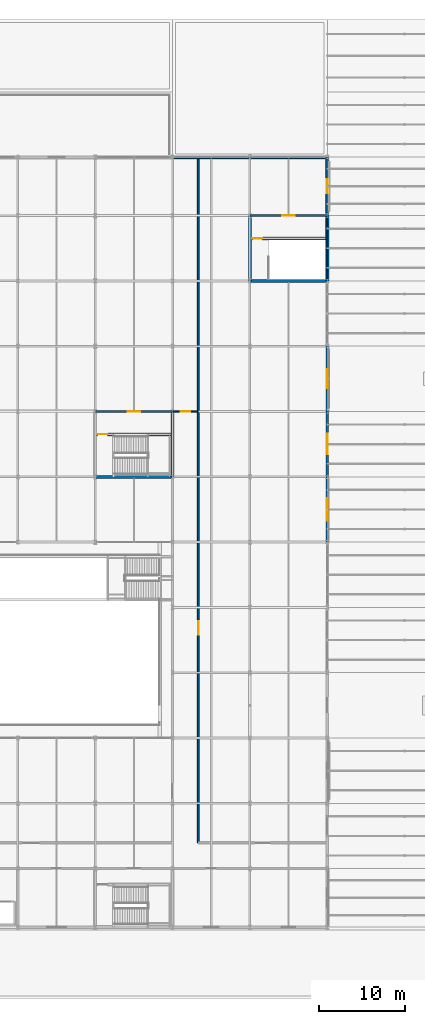
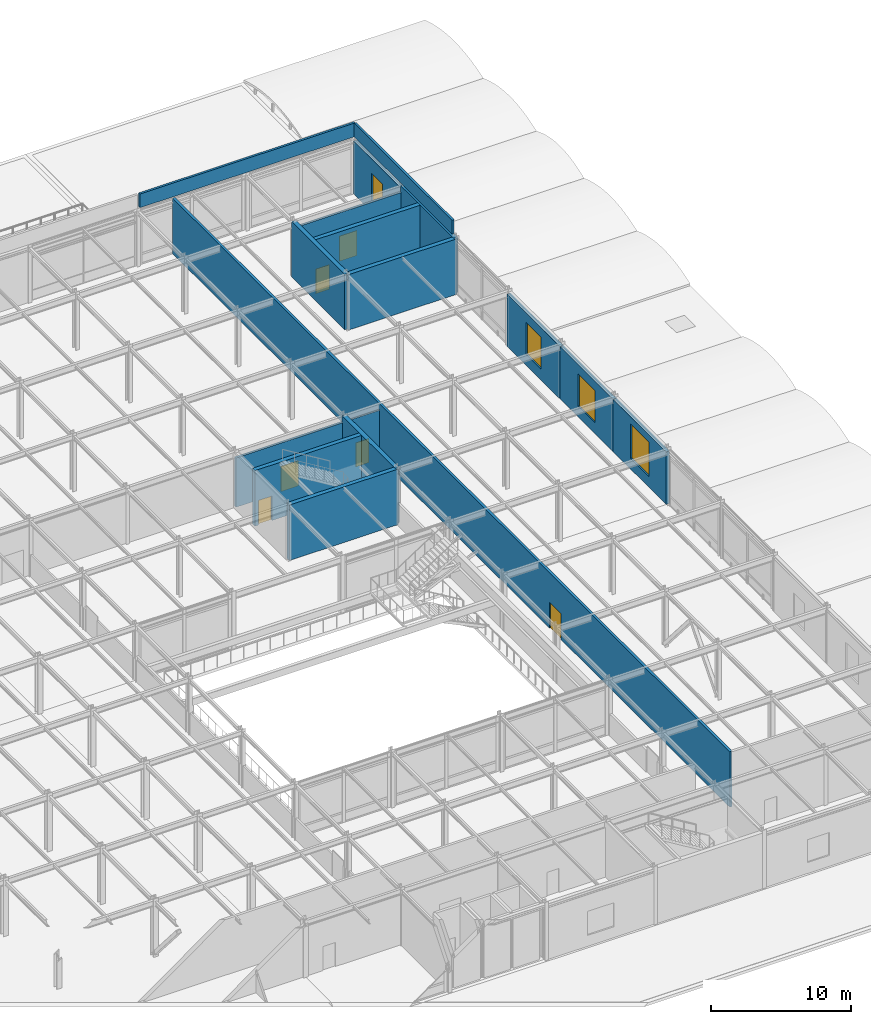
# One storey, part 103 of 113: 17 walls, 6 doors, 4 windows, 10 openings.
"""IFC4 building model written with IfcOpenShell, lengths in metres."""

from ifc_helpers import new_model, si_unit, direction, frame, frame_2d, origin, place, context, subcontext, project, spatial, rectangle, extrude, material, layer, layer_set, type_object, element, fill, save


model = new_model("IFC4")

# Units and contexts
model_context = context("Model", 3, precision=1e-05, world=origin(), true_north=direction((0.0, 1.0)))
body_context = subcontext(model_context, "Body", "Model", "MODEL_VIEW")
ifc_project = project(units=[si_unit("LENGTHUNIT", "METRE"), si_unit("AREAUNIT", "SQUARE_METRE"), si_unit("VOLUMEUNIT", "CUBIC_METRE"), si_unit("PLANEANGLEUNIT", "RADIAN"), si_unit("MASSUNIT", "GRAM", prefix="KILO")], contexts=[model_context])

# Site, building, storey
site_placement = place(None, origin())
site = spatial("IfcSite", under=ifc_project, at=site_placement, CompositionType="ELEMENT")
building_placement = place(site_placement, origin())
building = spatial("IfcBuilding", under=site, at=building_placement, Name="Shalkamar Park Central Library", CompositionType="ELEMENT")
storey_placement = place(building_placement, frame((0.0, 0.0, 5.39990234375)))
storey = spatial("IfcBuildingStorey", under=building, at=storey_placement, Name="L02", CompositionType="ELEMENT", Elevation=5.39990234375)

# Wall, opening, door
ifc_material_1 = material(Name="Acoustic insulated reading partition", Category="masonry")
ifc_layer_1 = layer(ifc_material_1, 0.139892578125)
ifc_layer_set_1 = layer_set([ifc_layer_1], Name="AcousticPartition_140")
wall_type_1 = type_object("IfcWallType", Name="Acoustic Partition 140", PredefinedType="PARTITIONING", material=ifc_layer_set_1)
wall_1_placement = place(storey_placement, frame((255.0, 308.39990234375, 0.0), z_axis=(0.0, 0.0, 1.0), x_axis=(1.0, 0.0, 0.0)))
wall_1 = element("IfcWall", 1, at=wall_1_placement, inside=storey, type_object=wall_type_1, Name="Interior Partition WL-INT-L02-028-S3", PredefinedType="PARTITIONING", context=body_context, shape_type="SweptSolid", body=[
    extrude(rectangle(XDim=3.0, YDim=0.139892578125, at=frame_2d((1.5, 0.0))), origin(), (0.0, 0.0, 1.0), 4.30810546875),
])
opening_1_placement = place(wall_1_placement, frame((0.949951171875, 0.0, 0.0)))
opening_1 = element("IfcOpeningElement", 2, at=opening_1_placement, cuts=wall_1, Name="Opening DR-L02-034", PredefinedType="OPENING", context=body_context, shape_type="SweptSolid", body=[
    extrude(rectangle(XDim=1.10009765625, YDim=2.10009765625, at=frame_2d((0.550048828125, 1.050048828125))), frame((0.0, 0.0849609375, 0.0), z_axis=(0.0, -1.0, 0.0), x_axis=(1.0, 0.0, 0.0)), (0.0, 0.0, 1.0), 0.169677734375),
])
ifc_material_2 = material(Name="Steel S355", Category="steel")
door_type_1 = type_object("IfcDoorType", Name="Interior Door Single 1100x2100", OperationType="NOTDEFINED", PredefinedType="DOOR", material=ifc_material_2)
door_1_placement = place(opening_1_placement, frame((1.10009765625, 0.0, 0.0), z_axis=(0.0, 0.0, 1.0), x_axis=(-1.0, 0.0, 0.0)))
door_1 = element("IfcDoor", 3, at=door_1_placement, inside=storey, type_object=door_type_1, Name="East Core Corridor North Door", OperationType="SINGLE_SWING_LEFT", OverallHeight=2.10009765625, OverallWidth=1.10009765625, PredefinedType="DOOR", context=body_context, shape_type="SweptSolid", body=[
    extrude(rectangle(XDim=1.10009765625, YDim=2.10009765625, at=frame_2d((0.550048828125, 1.050048828125))), frame((0.0, 0.02490234375, 0.0), z_axis=(0.0, -1.0, 0.0), x_axis=(1.0, 0.0, 0.0)), (0.0, 0.0, 1.0), 0.050048828125),
])
fill(opening_1, door_1)

ifc_material_3 = material(Name="Fire-rated corridor partition wall", Category="masonry")
ifc_layer_2 = layer(ifc_material_3, 0.199951171875)
ifc_layer_set_2 = layer_set([ifc_layer_2], Name="CorridorFireWall_200")
wall_type_2 = type_object("IfcWallType", Name="Corridor Fire Wall 200", PredefinedType="PARTITIONING", material=ifc_layer_set_2)
wall_2_placement = place(storey_placement, frame((246.0, 308.39990234375, 0.0), z_axis=(0.0, 0.0, 1.0), x_axis=(1.0, 0.0, 0.0)))
wall_2 = element("IfcWall", 4, at=wall_2_placement, inside=storey, type_object=wall_type_2, Name="CORE-P4 Vestibule North Wall (L02)", PredefinedType="PARTITIONING", context=body_context, shape_type="SweptSolid", body=[
    extrude(rectangle(XDim=9.0, YDim=0.199951171875, at=frame_2d((4.5, 0.0))), origin(), (0.0, 0.0, 1.0), 4.30810546875),
])
opening_2_placement = place(wall_2_placement, frame((3.77490234375, 0.0, 0.0)))
opening_2 = element("IfcOpeningElement", 5, at=opening_2_placement, cuts=wall_2, Name="Opening DR-ST-P4-L02-VEST", PredefinedType="OPENING", context=body_context, shape_type="SweptSolid", body=[
    extrude(rectangle(XDim=1.449951171875, YDim=2.199951171875, at=frame_2d((0.72509765625, 1.10009765625))), frame((0.0, 0.11474609375, 0.0), z_axis=(0.0, -1.0, 0.0), x_axis=(1.0, 0.0, 0.0)), (0.0, 0.0, 1.0), 0.229736328125),
])
door_type_2 = type_object("IfcDoorType", Name="Stair Vestibule Door 1450x2200", OperationType="DOUBLE_DOOR_SINGLE_SWING", PredefinedType="DOOR", material=ifc_material_2)
door_2_placement = place(opening_2_placement, frame((1.449951171875, 0.0, 0.0), z_axis=(0.0, 0.0, 1.0), x_axis=(-1.0, 0.0, 0.0)))
door_2 = element("IfcDoor", 6, at=door_2_placement, inside=storey, type_object=door_type_2, Name="Protected Stair ST-P4 Vestibule Door (L02)", OperationType="DOUBLE_DOOR_SINGLE_SWING", OverallHeight=2.199951171875, OverallWidth=1.449951171875, PredefinedType="DOOR", context=body_context, shape_type="SweptSolid", body=[
    extrude(rectangle(XDim=1.449951171875, YDim=2.199951171875, at=frame_2d((0.72509765625, 1.10009765625))), frame((0.0, 0.02490234375, 0.0), z_axis=(0.0, -1.0, 0.0), x_axis=(1.0, 0.0, 0.0)), (0.0, 0.0, 1.0), 0.050048828125),
])
fill(opening_2, door_2)

wall_3_placement = place(storey_placement, frame((264.0, 331.199951171875, 0.0), z_axis=(0.0, 0.0, 1.0), x_axis=(1.0, 0.0, 0.0)))
wall_3 = element("IfcWall", 7, at=wall_3_placement, inside=storey, type_object=wall_type_2, Name="CORE-P6 Vestibule North Wall (L02)", PredefinedType="PARTITIONING", context=body_context, shape_type="SweptSolid", body=[
    extrude(rectangle(XDim=9.0, YDim=0.199951171875, at=frame_2d((4.5, 0.0))), origin(), (0.0, 0.0, 1.0), 4.298095703125),
])
opening_3_placement = place(wall_3_placement, frame((3.77490234375, 0.0, 0.0)))
opening_3 = element("IfcOpeningElement", 8, at=opening_3_placement, cuts=wall_3, Name="Opening DR-ST-P6-L02-VEST", PredefinedType="OPENING", context=body_context, shape_type="SweptSolid", body=[
    extrude(rectangle(XDim=1.449951171875, YDim=2.199951171875, at=frame_2d((0.72509765625, 1.10009765625))), frame((0.0, 0.11474609375, 0.0), z_axis=(0.0, -1.0, 0.0), x_axis=(1.0, 0.0, 0.0)), (0.0, 0.0, 1.0), 0.229736328125),
])
door_3_placement = place(opening_3_placement, frame((1.449951171875, 0.0, 0.0), z_axis=(0.0, 0.0, 1.0), x_axis=(-1.0, 0.0, 0.0)))
door_3 = element("IfcDoor", 9, at=door_3_placement, inside=storey, type_object=door_type_2, Name="Protected Stair ST-P6 Vestibule Door (L02)", OperationType="DOUBLE_DOOR_SINGLE_SWING", OverallHeight=2.199951171875, OverallWidth=1.449951171875, PredefinedType="DOOR", context=body_context, shape_type="SweptSolid", body=[
    extrude(rectangle(XDim=1.449951171875, YDim=2.199951171875, at=frame_2d((0.72509765625, 1.10009765625))), frame((0.0, 0.02490234375, 0.0), z_axis=(0.0, -1.0, 0.0), x_axis=(1.0, 0.0, 0.0)), (0.0, 0.0, 1.0), 0.050048828125),
])
fill(opening_3, door_3)

wall_4_placement = place(storey_placement, frame((258.0, 258.199951171875, 0.0), z_axis=(0.0, 0.0, 1.0), x_axis=(0.0, 1.0, 0.0)))
wall_4 = element("IfcWall", 10, at=wall_4_placement, inside=storey, type_object=wall_type_2, Name="Interior Partition WL-INT-L02-030", PredefinedType="PARTITIONING", context=body_context, shape_type="SweptSolid", body=[
    extrude(rectangle(XDim=79.800048828125, YDim=0.199951171875, at=frame_2d((39.89990234375, 0.0))), origin(), (0.0, 0.0, 1.0), 4.85009765625),
])
opening_4_placement = place(wall_4_placement, frame((24.199951171875, 0.0, 0.0)))
opening_4 = element("IfcOpeningElement", 11, at=opening_4_placement, cuts=wall_4, Name="Opening DR-L02-036", PredefinedType="OPENING", context=body_context, shape_type="SweptSolid", body=[
    extrude(rectangle(XDim=1.60009765625, YDim=2.25, at=frame_2d((0.800048828125, 1.125))), frame((0.0, 0.11474609375, 0.0), z_axis=(0.0, -1.0, 0.0), x_axis=(1.0, 0.0, 0.0)), (0.0, 0.0, 1.0), 0.229736328125),
])
door_type_3 = type_object("IfcDoorType", Name="Interior Door Double 1600x2250", OperationType="DOUBLE_DOOR_SINGLE_SWING", PredefinedType="DOOR", material=ifc_material_2)
door_4_placement = place(opening_4_placement, frame((1.60009765625, 0.0, 0.0), z_axis=(0.0, 0.0, 1.0), x_axis=(-1.0, 0.0, 0.0)))
door_4 = element("IfcDoor", 12, at=door_4_placement, inside=storey, type_object=door_type_3, Name="Foreign Literature West Door", OperationType="DOUBLE_DOOR_SINGLE_SWING", OverallHeight=2.25, OverallWidth=1.60009765625, PredefinedType="DOOR", context=body_context, shape_type="SweptSolid", body=[
    extrude(rectangle(XDim=1.60009765625, YDim=2.25, at=frame_2d((0.800048828125, 1.125))), frame((0.0, 0.02490234375, 0.0), z_axis=(0.0, -1.0, 0.0), x_axis=(1.0, 0.0, 0.0)), (0.0, 0.0, 1.0), 0.050048828125),
])
fill(opening_4, door_4)

# Walls
ifc_material_4 = material(Name="Concrete C40/50", Category="concrete")
ifc_layer_3 = layer(ifc_material_4, 0.35009765625)
ifc_layer_set_3 = layer_set([ifc_layer_3], Name="Concrete C40/50")
wall_type_3 = type_object("IfcWallType", Name="Podium Core Shear Wall 350", PredefinedType="SHEAR", material=ifc_layer_set_3)
wall_5_placement = place(storey_placement, frame((246.0, 300.800048828125, 0.0), z_axis=(0.0, 0.0, 1.0), x_axis=(1.0, 0.0, 0.0)))
element("IfcWall", 13, at=wall_5_placement, inside=storey, type_object=wall_type_3, Name="CORE-P4 South Shear Wall (L02)", PredefinedType="SHEAR", context=body_context, shape_type="SweptSolid", body=[
    extrude(rectangle(XDim=9.0, YDim=0.35009765625, at=frame_2d((4.5, 0.0))), origin(), (0.0, 0.0, 1.0), 4.860107421875),
])
wall_6_placement = place(storey_placement, frame((255.0, 300.800048828125, 0.0), z_axis=(0.0, 0.0, 1.0), x_axis=(0.0, 1.0, 0.0)))
element("IfcWall", 14, at=wall_6_placement, inside=storey, type_object=wall_type_3, Name="CORE-P4 East Shear Wall (L02)", PredefinedType="SHEAR", context=body_context, shape_type="SweptSolid", body=[
    extrude(rectangle(XDim=7.599853515625, YDim=0.35009765625, at=frame_2d((3.7998046875, 0.0))), origin(), (0.0, 0.0, 1.0), 4.860107421875),
])

# Wall, opening, door
wall_7_placement = place(storey_placement, frame((246.0, 305.75, 0.0), z_axis=(0.0, 0.0, 1.0), x_axis=(1.0, 0.0, 0.0)))
wall_7 = element("IfcWall", 15, at=wall_7_placement, inside=storey, type_object=wall_type_3, Name="CORE-P4 Stairwell Wall (L02)", PredefinedType="SHEAR", context=body_context, shape_type="SweptSolid", body=[
    extrude(rectangle(XDim=9.0, YDim=0.35009765625, at=frame_2d((4.5, 0.0))), origin(), (0.0, 0.0, 1.0), 4.860107421875),
])
opening_5_placement = place(wall_7_placement, frame((0.27490234375, 0.0, 0.0)))
opening_5 = element("IfcOpeningElement", 16, at=opening_5_placement, cuts=wall_7, Name="Opening DR-ST-P4-L02-IN", PredefinedType="OPENING", context=body_context, shape_type="SweptSolid", body=[
    extrude(rectangle(XDim=1.14990234375, YDim=2.14990234375, at=frame_2d((0.574951171875, 1.074951171875))), frame((0.0, 0.18994140625, 0.0), z_axis=(0.0, -1.0, 0.0), x_axis=(1.0, 0.0, 0.0)), (0.0, 0.0, 1.0), 0.3798828125),
])
door_type_4 = type_object("IfcDoorType", Name="Stair Core Exit Door 1150x2150", OperationType="NOTDEFINED", PredefinedType="DOOR", material=ifc_material_2)
door_5_placement = place(opening_5_placement, frame((1.14990234375, 0.0, 0.0), z_axis=(0.0, 0.0, 1.0), x_axis=(-1.0, 0.0, 0.0)))
door_5 = element("IfcDoor", 17, at=door_5_placement, inside=storey, type_object=door_type_4, Name="Protected Stair ST-P4 Exit Door (L02)", OperationType="SINGLE_SWING_RIGHT", OverallHeight=2.14990234375, OverallWidth=1.14990234375, PredefinedType="DOOR", context=body_context, shape_type="SweptSolid", body=[
    extrude(rectangle(XDim=1.14990234375, YDim=2.14990234375, at=frame_2d((0.574951171875, 1.074951171875))), frame((0.0, 0.02490234375, 0.0), z_axis=(0.0, -1.0, 0.0), x_axis=(1.0, 0.0, 0.0)), (0.0, 0.0, 1.0), 0.050048828125),
])
fill(opening_5, door_5)

# Walls
wall_8_placement = place(storey_placement, frame((264.0, 323.60009765625, 0.0), z_axis=(0.0, 0.0, 1.0), x_axis=(1.0, 0.0, 0.0)))
element("IfcWall", 18, at=wall_8_placement, inside=storey, type_object=wall_type_3, Name="CORE-P6 South Shear Wall (L02)", PredefinedType="SHEAR", context=body_context, shape_type="SweptSolid", body=[
    extrude(rectangle(XDim=9.0, YDim=0.35009765625, at=frame_2d((4.5, 0.0))), origin(), (0.0, 0.0, 1.0), 4.85009765625),
])
for number, where, z_axis, x_axis, name in (
    (19, (264.0, 323.60009765625, 0.0), (0.0, 0.0, 1.0), (0.0, 1.0, 0.0), "CORE-P6 West Shear Wall (L02)"),
    (20, (273.0, 323.60009765625, 0.0), (0.0, 0.0, 1.0), (0.0, 1.0, 0.0), "CORE-P6 East Shear Wall (L02)"),
):
    element("IfcWall", number, at=place(storey_placement, frame(where, z_axis=z_axis, x_axis=x_axis)), inside=storey, type_object=wall_type_3, Name=name, PredefinedType="SHEAR", context=body_context, shape_type="SweptSolid", body=[
        extrude(rectangle(XDim=7.599853515625, YDim=0.35009765625, at=frame_2d((3.7998046875, 0.0))), origin(), (0.0, 0.0, 1.0), 4.85009765625),
    ])

# Wall, opening, door
wall_9_placement = place(storey_placement, frame((264.0, 328.550048828125, 0.0), z_axis=(0.0, 0.0, 1.0), x_axis=(1.0, 0.0, 0.0)))
wall_9 = element("IfcWall", 21, at=wall_9_placement, inside=storey, type_object=wall_type_3, Name="CORE-P6 Stairwell Wall (L02)", PredefinedType="SHEAR", context=body_context, shape_type="SweptSolid", body=[
    extrude(rectangle(XDim=9.0, YDim=0.35009765625, at=frame_2d((4.5, 0.0))), origin(), (0.0, 0.0, 1.0), 4.85009765625),
])
opening_6_placement = place(wall_9_placement, frame((0.27490234375, 0.0, 0.0)))
opening_6 = element("IfcOpeningElement", 22, at=opening_6_placement, cuts=wall_9, Name="Opening DR-ST-P6-L02-IN", PredefinedType="OPENING", context=body_context, shape_type="SweptSolid", body=[
    extrude(rectangle(XDim=1.14990234375, YDim=2.14990234375, at=frame_2d((0.574951171875, 1.074951171875))), frame((0.0, 0.18994140625, 0.0), z_axis=(0.0, -1.0, 0.0), x_axis=(1.0, 0.0, 0.0)), (0.0, 0.0, 1.0), 0.3798828125),
])
door_6_placement = place(opening_6_placement, frame((1.14990234375, 0.0, 0.0), z_axis=(0.0, 0.0, 1.0), x_axis=(-1.0, 0.0, 0.0)))
door_6 = element("IfcDoor", 23, at=door_6_placement, inside=storey, type_object=door_type_4, Name="Protected Stair ST-P6 Exit Door (L02)", OperationType="SINGLE_SWING_RIGHT", OverallHeight=2.14990234375, OverallWidth=1.14990234375, PredefinedType="DOOR", context=body_context, shape_type="SweptSolid", body=[
    extrude(rectangle(XDim=1.14990234375, YDim=2.14990234375, at=frame_2d((0.574951171875, 1.074951171875))), frame((0.0, 0.02490234375, 0.0), z_axis=(0.0, -1.0, 0.0), x_axis=(1.0, 0.0, 0.0)), (0.0, 0.0, 1.0), 0.050048828125),
])
fill(opening_6, door_6)

# Walls
ifc_material_5 = material(Name="Concrete C35/45 precast", Category="concrete")
ifc_layer_4 = layer(ifc_material_5, 0.179931640625)
ifc_layer_set_4 = layer_set([ifc_layer_4], Name="Concrete C35/45 precast")
wall_type_4 = type_object("IfcWallType", Name="Roof Parapet Wall 180", PredefinedType="PARAPET", material=ifc_layer_set_4)
wall_10_placement = place(storey_placement, frame((255.10009765625, 337.89990234375, 5.10009765625), z_axis=(0.0, 0.0, 1.0), x_axis=(1.0, 0.0, 0.0)))
element("IfcWall", 24, at=wall_10_placement, inside=storey, type_object=wall_type_4, Name="Roof Parapet Wall L02-15", PredefinedType="PARAPET", context=body_context, shape_type="SweptSolid", body=[
    extrude(rectangle(XDim=17.7998046875, YDim=0.179931640625, at=frame_2d((8.89990234375, 0.0))), origin(), (0.0, 0.0, 1.0), 1.199951171875),
])
wall_11_placement = place(storey_placement, frame((272.89990234375, 323.800048828125, 5.10009765625), z_axis=(0.0, 0.0, 1.0), x_axis=(0.0, 1.0, 0.0)))
element("IfcWall", 25, at=wall_11_placement, inside=storey, type_object=wall_type_4, Name="Roof Parapet Wall L02-16", PredefinedType="PARAPET", context=body_context, shape_type="SweptSolid", body=[
    extrude(rectangle(XDim=14.0, YDim=0.179931640625, at=frame_2d((7.0, 0.0))), origin(), (0.0, 0.0, 1.0), 1.199951171875),
])

# Wall, opening, window
ifc_material_6 = material(Name="Travertine insulated rainscreen", Category="masonry")
ifc_layer_5 = layer(ifc_material_6, 0.2900390625)
ifc_layer_set_5 = layer_set([ifc_layer_5], Name="TravertineTerracottaWall_290")
wall_type_5 = type_object("IfcWallType", Name="Travertine Terracotta Wall 290", PredefinedType="SOLIDWALL", material=ifc_layer_set_5)
wall_12_placement = place(storey_placement, frame((273.0, 293.2060546875, 0.0), z_axis=(0.0, 0.0, 1.0), x_axis=(0.0, 1.0, 0.0)))
wall_12 = element("IfcWall", 26, at=wall_12_placement, inside=storey, type_object=wall_type_5, Name="Exterior Facade Wall WL-EXT-L02-080", PredefinedType="SOLIDWALL", context=body_context, shape_type="SweptSolid", body=[
    extrude(rectangle(XDim=7.587890625, YDim=0.2900390625, at=frame_2d((3.7939453125, 0.0))), origin(), (0.0, 0.0, 1.0), 4.588134765625),
])
opening_7_placement = place(wall_12_placement, frame((2.493896484375, 0.0, 0.949951171875)))
opening_7 = element("IfcOpeningElement", 27, at=opening_7_placement, cuts=wall_12, Name="Opening WN-02", PredefinedType="OPENING", context=body_context, shape_type="SweptSolid", body=[
    extrude(rectangle(XDim=2.60009765625, YDim=3.0, at=frame_2d((1.300048828125, 1.5))), frame((0.0, 0.159912109375, 0.0), z_axis=(0.0, -1.0, 0.0), x_axis=(1.0, 0.0, 0.0)), (0.0, 0.0, 1.0), 0.31982421875),
])
ifc_material_7 = material(Name="Thermally broken aluminium and triple low-e glass", Category="glass")
window_type_1 = type_object("IfcWindowType", Name="Podium Window 2600x3000", PartitioningType="DOUBLE_PANEL_VERTICAL", PredefinedType="WINDOW", material=ifc_material_7)
window_1_placement = place(opening_7_placement, origin())
window_1 = element("IfcWindow", 28, at=window_1_placement, inside=storey, type_object=window_type_1, Name="Facade Window WN-L02-045", OverallHeight=3.0, OverallWidth=2.60009765625, PartitioningType="DOUBLE_PANEL_VERTICAL", PredefinedType="WINDOW", context=body_context, shape_type="SweptSolid", body=[
    extrude(rectangle(XDim=2.60009765625, YDim=3.0, at=frame_2d((1.300048828125, 1.5))), frame((0.0, 0.030029296875, 0.0), z_axis=(0.0, -1.0, 0.0), x_axis=(1.0, 0.0, 0.0)), (0.0, 0.0, 1.0), 0.06005859375),
])
fill(opening_7, window_1)

wall_13_placement = place(storey_placement, frame((273.0, 300.805908203125, 0.0), z_axis=(0.0, 0.0, 1.0), x_axis=(0.0, 1.0, 0.0)))
wall_13 = element("IfcWall", 29, at=wall_13_placement, inside=storey, type_object=wall_type_5, Name="Exterior Facade Wall WL-EXT-L02-081", PredefinedType="SOLIDWALL", context=body_context, shape_type="SweptSolid", body=[
    extrude(rectangle(XDim=7.588134765625, YDim=0.2900390625, at=frame_2d((3.7939453125, 0.0))), origin(), (0.0, 0.0, 1.0), 4.588134765625),
])
opening_8_placement = place(wall_13_placement, frame((2.593994140625, 0.0, 0.949951171875)))
opening_8 = element("IfcOpeningElement", 30, at=opening_8_placement, cuts=wall_13, Name="Opening WN-03", PredefinedType="OPENING", context=body_context, shape_type="SweptSolid", body=[
    extrude(rectangle(XDim=2.39990234375, YDim=2.800048828125, at=frame_2d((1.199951171875, 1.39990234375))), frame((0.0, 0.159912109375, 0.0), z_axis=(0.0, -1.0, 0.0), x_axis=(1.0, 0.0, 0.0)), (0.0, 0.0, 1.0), 0.31982421875),
])
window_type_2 = type_object("IfcWindowType", Name="Podium Window 2400x2800", PartitioningType="DOUBLE_PANEL_VERTICAL", PredefinedType="WINDOW", material=ifc_material_7)
window_2_placement = place(opening_8_placement, origin())
window_2 = element("IfcWindow", 31, at=window_2_placement, inside=storey, type_object=window_type_2, Name="Facade Window WN-L02-046", OverallHeight=2.800048828125, OverallWidth=2.39990234375, PartitioningType="DOUBLE_PANEL_VERTICAL", PredefinedType="WINDOW", context=body_context, shape_type="SweptSolid", body=[
    extrude(rectangle(XDim=2.39990234375, YDim=2.800048828125, at=frame_2d((1.199951171875, 1.39990234375))), frame((0.0, 0.030029296875, 0.0), z_axis=(0.0, -1.0, 0.0), x_axis=(1.0, 0.0, 0.0)), (0.0, 0.0, 1.0), 0.06005859375),
])
fill(opening_8, window_2)

wall_14_placement = place(storey_placement, frame((273.0, 308.406005859375, 0.0), z_axis=(0.0, 0.0, 1.0), x_axis=(0.0, 1.0, 0.0)))
wall_14 = element("IfcWall", 32, at=wall_14_placement, inside=storey, type_object=wall_type_5, Name="Exterior Facade Wall WL-EXT-L02-082", PredefinedType="SOLIDWALL", context=body_context, shape_type="SweptSolid", body=[
    extrude(rectangle(XDim=7.587890625, YDim=0.2900390625, at=frame_2d((3.7939453125, 0.0))), origin(), (0.0, 0.0, 1.0), 4.588134765625),
])
opening_9_placement = place(wall_14_placement, frame((2.694091796875, 0.0, 0.949951171875)))
opening_9 = element("IfcOpeningElement", 33, at=opening_9_placement, cuts=wall_14, Name="Opening WN-04", PredefinedType="OPENING", context=body_context, shape_type="SweptSolid", body=[
    extrude(rectangle(XDim=2.199951171875, YDim=2.800048828125, at=frame_2d((1.10009765625, 1.39990234375))), frame((0.0, 0.159912109375, 0.0), z_axis=(0.0, -1.0, 0.0), x_axis=(1.0, 0.0, 0.0)), (0.0, 0.0, 1.0), 0.31982421875),
])
window_type_3 = type_object("IfcWindowType", Name="Podium Window 2200x2800", PartitioningType="DOUBLE_PANEL_VERTICAL", PredefinedType="WINDOW", material=ifc_material_7)
window_3_placement = place(opening_9_placement, origin())
window_3 = element("IfcWindow", 34, at=window_3_placement, inside=storey, type_object=window_type_3, Name="Facade Window WN-L02-047", OverallHeight=2.800048828125, OverallWidth=2.199951171875, PartitioningType="DOUBLE_PANEL_VERTICAL", PredefinedType="WINDOW", context=body_context, shape_type="SweptSolid", body=[
    extrude(rectangle(XDim=2.199951171875, YDim=2.800048828125, at=frame_2d((1.10009765625, 1.39990234375))), frame((0.0, 0.030029296875, 0.0), z_axis=(0.0, -1.0, 0.0), x_axis=(1.0, 0.0, 0.0)), (0.0, 0.0, 1.0), 0.06005859375),
])
fill(opening_9, window_3)

wall_15_placement = place(storey_placement, frame((273.0, 331.2060546875, 0.0), z_axis=(0.0, 0.0, 1.0), x_axis=(0.0, 1.0, 0.0)))
wall_15 = element("IfcWall", 35, at=wall_15_placement, inside=storey, type_object=wall_type_5, Name="Exterior Facade Wall WL-EXT-L02-083", PredefinedType="SOLIDWALL", context=body_context, shape_type="SweptSolid", body=[
    extrude(rectangle(XDim=6.787841796875, YDim=0.2900390625, at=frame_2d((3.39404296875, 0.0))), origin(), (0.0, 0.0, 1.0), 4.6181640625),
])
opening_10_placement = place(wall_15_placement, frame((2.593994140625, 0.0, 0.949951171875)))
opening_10 = element("IfcOpeningElement", 36, at=opening_10_placement, cuts=wall_15, Name="Opening WN-07", PredefinedType="OPENING", context=body_context, shape_type="SweptSolid", body=[
    extrude(rectangle(XDim=1.60009765625, YDim=2.39990234375, at=frame_2d((0.800048828125, 1.199951171875))), frame((0.0, 0.159912109375, 0.0), z_axis=(0.0, -1.0, 0.0), x_axis=(1.0, 0.0, 0.0)), (0.0, 0.0, 1.0), 0.31982421875),
])
window_type_4 = type_object("IfcWindowType", Name="Podium Window 1600x2400", PartitioningType="SINGLE_PANEL", PredefinedType="WINDOW", material=ifc_material_7)
window_4_placement = place(opening_10_placement, origin())
window_4 = element("IfcWindow", 37, at=window_4_placement, inside=storey, type_object=window_type_4, Name="Facade Window WN-L02-048", OverallHeight=2.39990234375, OverallWidth=1.60009765625, PartitioningType="SINGLE_PANEL", PredefinedType="WINDOW", context=body_context, shape_type="SweptSolid", body=[
    extrude(rectangle(XDim=1.60009765625, YDim=2.39990234375, at=frame_2d((0.800048828125, 1.199951171875))), frame((0.0, 0.030029296875, 0.0), z_axis=(0.0, -1.0, 0.0), x_axis=(1.0, 0.0, 0.0)), (0.0, 0.0, 1.0), 0.06005859375),
])
fill(opening_10, window_4)

save(model, "model.ifc")
